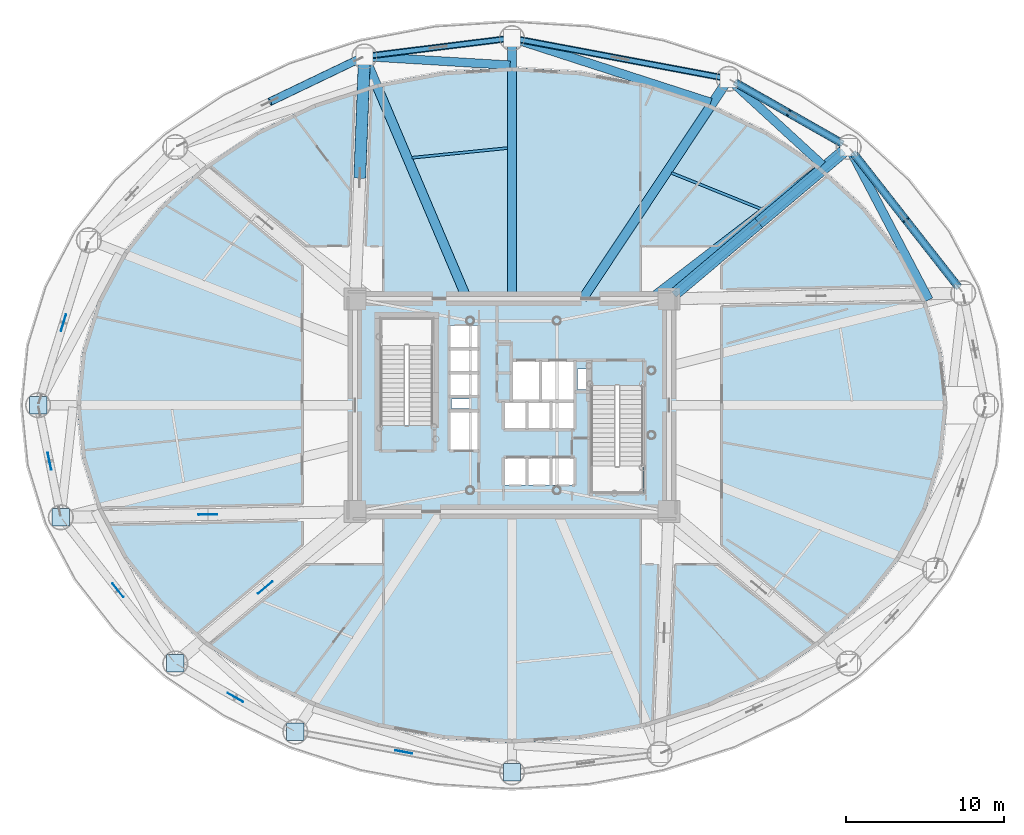
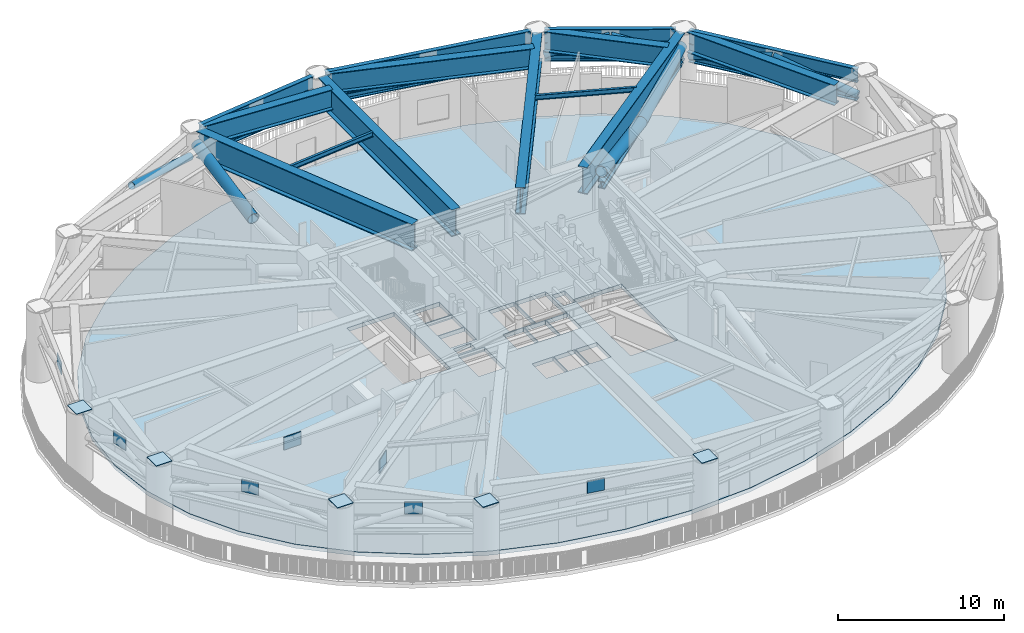
# One storey, part 5 of 22: 19 beams, 12 plates, 8 members, 1 slab.
"""IFC4 building model written with IfcOpenShell, lengths in metres."""

from ifc_helpers import new_model, si_unit, direction, frame, origin, origin_2d, place, context, subcontext, project, spatial, polyline, rectangle, hollow_circle, i_section, outline, extrude, source, transform, mapped, material, layer, layer_set, material_profile, profile_set, type_object, element, save


model = new_model("IFC4")

# Units and contexts
model_context = context("Model", 3, precision=1e-05, world=origin(), true_north=direction((0.0, 1.0)))
body_context = subcontext(model_context, "Body", "Model", "MODEL_VIEW")
ifc_project = project(units=[si_unit("LENGTHUNIT", "METRE"), si_unit("AREAUNIT", "SQUARE_METRE"), si_unit("VOLUMEUNIT", "CUBIC_METRE"), si_unit("PLANEANGLEUNIT", "RADIAN"), si_unit("MASSUNIT", "GRAM", prefix="KILO")], contexts=[model_context])

# Site, building, storey
site_placement = place(None, origin())
site = spatial("IfcSite", under=ifc_project, at=site_placement, CompositionType="ELEMENT")
building_placement = place(site_placement, origin())
building = spatial("IfcBuilding", under=site, at=building_placement, Name="Linh Dai School and Residence Tower", CompositionType="ELEMENT")
storey_placement = place(building_placement, frame((0.0, 0.0, 87.0)))
storey = spatial("IfcBuildingStorey", under=building, at=storey_placement, Name="L20", CompositionType="ELEMENT", Elevation=87.0)

# Beams
ifc_material_1 = material(Name="Structural Steel S355JR", Category="steel")
ifc_material_profile_1 = material_profile(ifc_material_1, i_section(OverallWidth=0.41796875, OverallDepth=0.506103515625, WebThickness=0.038818359375, FlangeThickness=0.05810546875, FilletRadius=0.014892578125, at=origin_2d()), Name="HD 400x551")
ifc_profile_set_1 = profile_set([ifc_material_profile_1], Name="Structural Steel S355JR")
beam_type_1 = type_object("IfcBeamType", Name="BM-BC1", PredefinedType="BEAM", material=ifc_profile_set_1)
beam_1_placement = place(storey_placement, frame((64.351806640625, 34.439208984375, 3.050048828125), z_axis=(-0.616878670407, 0.787058260866, 0.0), x_axis=(-0.787058260866, -0.616878670407, 0.0)))
element("IfcBeam", 1, at=beam_1_placement, inside=storey, type_object=beam_type_1, Name="L20 Ring Belt Truss BT2 Bottom Chord 02", PredefinedType="BEAM", context=body_context, shape_type="SweptSolid", body=[
    extrude(i_section(OverallWidth=0.41796875, OverallDepth=0.506103515625, WebThickness=0.038818359375, FlangeThickness=0.05810546875, FilletRadius=0.014892578125, at=origin_2d()), origin(), (0.0, 0.0, 1.0), 10.926025390625),
])
beam_2_placement = place(storey_placement, frame((56.987548828125, 43.57666015625, 3.050048828125), z_axis=(-0.869271416992, 0.494335112653, 0.0), x_axis=(-0.494335112653, -0.869271416992, 0.0)))
element("IfcBeam", 2, at=beam_2_placement, inside=storey, type_object=beam_type_1, Name="L20 Ring Belt Truss BT2 Bottom Chord 03", PredefinedType="BEAM", context=body_context, shape_type="SweptSolid", body=[
    extrude(i_section(OverallWidth=0.41796875, OverallDepth=0.506103515625, WebThickness=0.038818359375, FlangeThickness=0.05810546875, FilletRadius=0.014892578125, at=origin_2d()), origin(), (0.0, 0.0, 1.0), 7.91943359375),
])
beam_3_placement = place(storey_placement, frame((49.32568359375, 47.776611328125, 3.050048828125), z_axis=(-0.982808389171, 0.184628465236, 0.0), x_axis=(-0.184628465236, -0.982808389171, 0.0)))
element("IfcBeam", 3, at=beam_3_placement, inside=storey, type_object=beam_type_1, Name="L20 Ring Belt Truss BT2 Bottom Chord 04", PredefinedType="BEAM", context=body_context, shape_type="SweptSolid", body=[
    extrude(i_section(OverallWidth=0.41796875, OverallDepth=0.506103515625, WebThickness=0.038818359375, FlangeThickness=0.05810546875, FilletRadius=0.014892578125, at=origin_2d()), origin(), (0.0, 0.0, 1.0), 13.138671875),
])
beam_4_placement = place(storey_placement, frame((35.583251953125, 50.228271484375, 3.050048828125), z_axis=(-0.99240113372, -0.123044665842, 0.0), x_axis=(0.123044665842, -0.99240113372, 0.0)))
element("IfcBeam", 4, at=beam_4_placement, inside=storey, type_object=beam_type_1, Name="L20 Ring Belt Truss BT2 Bottom Chord 05", PredefinedType="BEAM", context=body_context, shape_type="SweptSolid", body=[
    extrude(i_section(OverallWidth=0.41796875, OverallDepth=0.506103515625, WebThickness=0.038818359375, FlangeThickness=0.05810546875, FilletRadius=0.014892578125, at=origin_2d()), origin(), (0.0, 0.0, 1.0), 8.58935546875),
])
beam_5_placement = place(storey_placement, frame((46.27099609375, 34.020751953125, 3.10009765625), z_axis=(0.764352378817, 0.644798760077, 0.0), x_axis=(-0.644798760077, 0.764352378817, 0.0)))
element("IfcBeam", 5, at=beam_5_placement, inside=storey, type_object=beam_type_1, Name="L20 Outrigger Truss OT1 Bottom Chord 02", PredefinedType="BEAM", context=body_context, shape_type="SweptSolid", body=[
    extrude(i_section(OverallWidth=0.41796875, OverallDepth=0.506103515625, WebThickness=0.038818359375, FlangeThickness=0.05810546875, FilletRadius=0.014892578125, at=origin_2d()), origin(), (0.0, 0.0, 1.0), 14.078369140625),
])
ifc_material_profile_2 = material_profile(ifc_material_1, i_section(OverallWidth=0.300048828125, OverallDepth=1.0, WebThickness=0.01904296875, FlangeThickness=0.035888671875, FilletRadius=0.030029296875, at=origin_2d()), Name="HEB 1000")
ifc_profile_set_2 = profile_set([ifc_material_profile_2], Name="Structural Steel S355JR")
beam_type_2 = type_object("IfcBeamType", Name="BM-RG10", PredefinedType="BEAM", material=ifc_profile_set_2)
beam_6_placement = place(storey_placement, frame((64.351806640625, 34.439208984375, 4.60009765625), z_axis=(-0.616878670407, 0.787058260866, 0.0), x_axis=(-0.787058260866, -0.616878670407, 0.0)))
element("IfcBeam", 6, at=beam_6_placement, inside=storey, type_object=beam_type_2, Name="L20 Perimeter Elliptical Ring Beam 02", PredefinedType="BEAM", context=body_context, shape_type="SweptSolid", body=[
    extrude(i_section(OverallWidth=0.300048828125, OverallDepth=1.0, WebThickness=0.01904296875, FlangeThickness=0.035888671875, FilletRadius=0.030029296875, at=origin_2d()), origin(), (0.0, 0.0, 1.0), 10.926025390625),
])
beam_7_placement = place(storey_placement, frame((56.987548828125, 43.57666015625, 4.60009765625), z_axis=(-0.869271416992, 0.494335112653, 0.0), x_axis=(-0.494335112653, -0.869271416992, 0.0)))
element("IfcBeam", 7, at=beam_7_placement, inside=storey, type_object=beam_type_2, Name="L20 Perimeter Elliptical Ring Beam 03", PredefinedType="BEAM", context=body_context, shape_type="SweptSolid", body=[
    extrude(i_section(OverallWidth=0.300048828125, OverallDepth=1.0, WebThickness=0.01904296875, FlangeThickness=0.035888671875, FilletRadius=0.030029296875, at=origin_2d()), origin(), (0.0, 0.0, 1.0), 7.91943359375),
])
beam_8_placement = place(storey_placement, frame((49.32568359375, 47.776611328125, 4.60009765625), z_axis=(-0.982808389171, 0.184628465236, 0.0), x_axis=(-0.184628465236, -0.982808389171, 0.0)))
element("IfcBeam", 8, at=beam_8_placement, inside=storey, type_object=beam_type_2, Name="L20 Perimeter Elliptical Ring Beam 04", PredefinedType="BEAM", context=body_context, shape_type="SweptSolid", body=[
    extrude(i_section(OverallWidth=0.300048828125, OverallDepth=1.0, WebThickness=0.01904296875, FlangeThickness=0.035888671875, FilletRadius=0.030029296875, at=origin_2d()), origin(), (0.0, 0.0, 1.0), 13.138671875),
])
beam_9_placement = place(storey_placement, frame((35.583251953125, 50.228271484375, 4.60009765625), z_axis=(-0.99240113372, -0.123044665842, 0.0), x_axis=(0.123044665842, -0.99240113372, 0.0)))
element("IfcBeam", 9, at=beam_9_placement, inside=storey, type_object=beam_type_2, Name="L20 Perimeter Elliptical Ring Beam 05", PredefinedType="BEAM", context=body_context, shape_type="SweptSolid", body=[
    extrude(i_section(OverallWidth=0.300048828125, OverallDepth=1.0, WebThickness=0.01904296875, FlangeThickness=0.035888671875, FilletRadius=0.030029296875, at=origin_2d()), origin(), (0.0, 0.0, 1.0), 8.58935546875),
])
ifc_material_profile_3 = material_profile(ifc_material_1, i_section(OverallWidth=0.169921875, OverallDepth=0.360107421875, WebThickness=0.008056640625, FlangeThickness=0.0126953125, FilletRadius=0.01806640625, at=origin_2d()), Name="IPE 360")
ifc_profile_set_3 = profile_set([ifc_material_profile_3], Name="Structural Steel S355JR")
beam_type_3 = type_object("IfcBeamType", Name="BM-SB36", PredefinedType="BEAM", material=ifc_profile_set_3)
beam_10_placement = place(storey_placement, frame((51.822998046875, 39.433837890625, 4.919921875), z_axis=(-0.927541657377, 0.373719779823, 0.0), x_axis=(-0.373719779823, -0.927541657377, 0.0)))
element("IfcBeam", 10, at=beam_10_placement, inside=storey, type_object=beam_type_3, Name="L20 Secondary Circumferential Floor Beam 02", PredefinedType="BEAM", context=body_context, shape_type="SweptSolid", body=[
    extrude(i_section(OverallWidth=0.169921875, OverallDepth=0.360107421875, WebThickness=0.008056640625, FlangeThickness=0.0126953125, FilletRadius=0.01806640625, at=origin_2d()), origin(), (0.0, 0.0, 1.0), 6.15966796875),
])
beam_11_placement = place(storey_placement, frame((35.721435546875, 43.30908203125, 4.919921875), z_axis=(-0.994886299019, -0.101001247636, 0.0), x_axis=(0.101001247636, -0.994886299019, 0.0)))
element("IfcBeam", 11, at=beam_11_placement, inside=storey, type_object=beam_type_3, Name="L20 Secondary Circumferential Floor Beam 03", PredefinedType="BEAM", context=body_context, shape_type="SweptSolid", body=[
    extrude(i_section(OverallWidth=0.169921875, OverallDepth=0.360107421875, WebThickness=0.008056640625, FlangeThickness=0.0126953125, FilletRadius=0.01806640625, at=origin_2d()), origin(), (0.0, 0.0, 1.0), 6.10107421875),
])
ifc_material_profile_4 = material_profile(ifc_material_1, i_section(OverallWidth=0.550048828125, OverallDepth=1.5, WebThickness=0.028076171875, FlangeThickness=0.050048828125, at=origin_2d()), Name="PG 1500x550x28x50")
ifc_profile_set_4 = profile_set([ifc_material_profile_4], Name="Structural Steel S355JR")
beam_type_4 = type_object("IfcBeamType", Name="BM-TG15", PredefinedType="BEAM", material=ifc_profile_set_4)
beam_12_placement = place(storey_placement, frame((62.436767578125, 33.687255859375, 4.35009765625), z_axis=(-0.464900329916, 0.885363023423, 0.0), x_axis=(-0.885363023423, -0.464900329916, 0.0)))
element("IfcBeam", 12, at=beam_12_placement, inside=storey, type_object=beam_type_4, Name="L20 Setback Diaphragm Transfer Girder 02", PredefinedType="BEAM", context=body_context, shape_type="SweptSolid", body=[
    extrude(i_section(OverallWidth=0.550048828125, OverallDepth=1.5, WebThickness=0.028076171875, FlangeThickness=0.050048828125, at=origin_2d()), origin(), (0.0, 0.0, 1.0), 10.515625),
])
beam_13_placement = place(storey_placement, frame((55.684326171875, 42.236572265625, 4.35009765625), z_axis=(-0.736406970607, 0.67653881902, 0.0), x_axis=(-0.67653881902, -0.736406970607, 0.0)))
element("IfcBeam", 13, at=beam_13_placement, inside=storey, type_object=beam_type_4, Name="L20 Setback Diaphragm Transfer Girder 03", PredefinedType="BEAM", context=body_context, shape_type="SweptSolid", body=[
    extrude(i_section(OverallWidth=0.550048828125, OverallDepth=1.5, WebThickness=0.028076171875, FlangeThickness=0.050048828125, at=origin_2d()), origin(), (0.0, 0.0, 1.0), 7.654296875),
])
beam_14_placement = place(storey_placement, frame((48.607666015625, 46.201904296875, 4.35009765625), z_axis=(-0.951465496082, 0.307755438238, 0.0), x_axis=(-0.307755438238, -0.951465496082, 0.0)))
element("IfcBeam", 14, at=beam_14_placement, inside=storey, type_object=beam_type_4, Name="L20 Setback Diaphragm Transfer Girder 04", PredefinedType="BEAM", context=body_context, shape_type="SweptSolid", body=[
    extrude(i_section(OverallWidth=0.550048828125, OverallDepth=1.5, WebThickness=0.028076171875, FlangeThickness=0.050048828125, at=origin_2d()), origin(), (0.0, 0.0, 1.0), 12.830810546875),
])
beam_15_placement = place(storey_placement, frame((35.880126953125, 48.562255859375, 4.35009765625), z_axis=(-0.998183735829, 0.060243086961, 0.0), x_axis=(-0.060243086961, -0.998183735829, 0.0)))
element("IfcBeam", 15, at=beam_15_placement, inside=storey, type_object=beam_type_4, Name="L20 Setback Diaphragm Transfer Girder 05", PredefinedType="BEAM", context=body_context, shape_type="SweptSolid", body=[
    extrude(i_section(OverallWidth=0.550048828125, OverallDepth=1.5, WebThickness=0.028076171875, FlangeThickness=0.050048828125, at=origin_2d()), origin(), (0.0, 0.0, 1.0), 8.834716796875),
])
ifc_material_profile_5 = material_profile(ifc_material_1, i_section(OverallWidth=0.60009765625, OverallDepth=1.949951171875, WebThickness=0.031982421875, FlangeThickness=0.054931640625, at=origin_2d()), Name="PG 1950x600x32x55")
ifc_profile_set_5 = profile_set([ifc_material_profile_5], Name="Structural Steel S355JR")
beam_type_5 = type_object("IfcBeamType", Name="BM-TG19", PredefinedType="BEAM", material=ifc_profile_set_5)
beam_16_placement = place(storey_placement, frame((44.804931640625, 33.75, 4.125), z_axis=(0.793637764155, 0.608390581212, 0.0), x_axis=(-0.608390581212, 0.793637764155, 0.0)))
element("IfcBeam", 16, at=beam_16_placement, inside=storey, type_object=beam_type_5, Name="L20 Radial Setback Transfer Girder 03", PredefinedType="BEAM", context=body_context, shape_type="SweptSolid", body=[
    extrude(i_section(OverallWidth=0.60009765625, OverallDepth=1.949951171875, WebThickness=0.031982421875, FlangeThickness=0.054931640625, at=origin_2d()), origin(), (0.0, 0.0, 1.0), 15.390625),
])
beam_17_placement = place(storey_placement, frame((40.47998046875, 33.75, 4.125), z_axis=(0.55300421354, 0.833178456158, 0.0), x_axis=(-0.833178456158, 0.55300421354, 0.0)))
element("IfcBeam", 17, at=beam_17_placement, inside=storey, type_object=beam_type_5, Name="L20 Radial Setback Transfer Girder 04", PredefinedType="BEAM", context=body_context, shape_type="SweptSolid", body=[
    extrude(i_section(OverallWidth=0.60009765625, OverallDepth=1.949951171875, WebThickness=0.031982421875, FlangeThickness=0.054931640625, at=origin_2d()), origin(), (0.0, 0.0, 1.0), 16.322021484375),
])
beam_18_placement = place(storey_placement, frame((36.0, 33.75, 4.125), z_axis=(0.0, 1.0, 0.0), x_axis=(-1.0, 0.0, 0.0)))
element("IfcBeam", 18, at=beam_18_placement, inside=storey, type_object=beam_type_5, Name="L20 Radial Setback Transfer Girder 05", PredefinedType="BEAM", context=body_context, shape_type="SweptSolid", body=[
    extrude(i_section(OverallWidth=0.60009765625, OverallDepth=1.949951171875, WebThickness=0.031982421875, FlangeThickness=0.054931640625, at=origin_2d()), origin(), (0.0, 0.0, 1.0), 16.110107421875),
])
beam_19_placement = place(storey_placement, frame((33.14453125, 33.75, 4.125), z_axis=(-0.38962432485, 0.920973878829, 0.0), x_axis=(-0.920973878829, -0.38962432485, 0.0)))
element("IfcBeam", 19, at=beam_19_placement, inside=storey, type_object=beam_type_5, Name="L20 Radial Setback Transfer Girder 06", PredefinedType="BEAM", context=body_context, shape_type="SweptSolid", body=[
    extrude(i_section(OverallWidth=0.60009765625, OverallDepth=1.949951171875, WebThickness=0.031982421875, FlangeThickness=0.054931640625, at=origin_2d()), origin(), (0.0, 0.0, 1.0), 16.2685546875),
])

# Members
ifc_material_profile_6 = material_profile(ifc_material_1, hollow_circle(Radius=0.25390625, WallThickness=0.02001953125, at=origin_2d()), Name="CHS 508x20")
ifc_profile_set_6 = profile_set([ifc_material_profile_6], Name="Structural Steel S355JR")
member_type_1 = type_object("IfcMemberType", Name="MBR-BT2", PredefinedType="BRACE", material=ifc_profile_set_6)
for number, where, z_axis, x_axis, name in (
    (20, (64.3603515625, 34.42822265625, 3.156982421875), (-0.596535122005, 0.761068293527, 0.254795802166), (-0.787044801124, -0.616895842929, 0.0), "L20 Ring Belt Truss BT2 Diagonal 02A"),
    (21, (57.603271484375, 43.049560546875, 3.156982421875), (0.596487785101, -0.761105999532, 0.254793994633), (0.787083406438, 0.616846586526, 0.0), "L20 Ring Belt Truss BT2 Diagonal 02B"),
):
    element("IfcMember", number, at=place(storey_placement, frame(where, z_axis=z_axis, x_axis=x_axis)), inside=storey, type_object=member_type_1, Name=name, PredefinedType="BRACE", context=body_context, shape_type="SweptSolid", body=[
        extrude(hollow_circle(Radius=0.25390625, WallThickness=0.02001953125, at=origin_2d()), origin(), (0.0, 0.0, 1.0), 5.663818359375),
    ])
member_1_placement = place(storey_placement, frame((57.008544921875, 43.56494140625, 3.190185546875), z_axis=(-0.819464436505, 0.466003958323, 0.333644044051), x_axis=(-0.494329466237, -0.869274627957, 0.0)))
element("IfcMember", 22, at=member_1_placement, inside=storey, type_object=member_type_1, Name="L20 Ring Belt Truss BT2 Diagonal 03A", PredefinedType="BRACE", context=body_context, shape_type="SweptSolid", body=[
    extrude(hollow_circle(Radius=0.25390625, WallThickness=0.02001953125, at=origin_2d()), origin(), (0.0, 0.0, 1.0), 4.225830078125),
])
member_2_placement = place(storey_placement, frame((50.08251953125, 47.50341796875, 3.190185546875), z_axis=(0.819483412602, -0.465981896796, 0.333628248698), x_axis=(0.494303132506, 0.869289602604, 0.0)))
element("IfcMember", 23, at=member_2_placement, inside=storey, type_object=member_type_1, Name="L20 Ring Belt Truss BT2 Diagonal 03B", PredefinedType="BRACE", context=body_context, shape_type="SweptSolid", body=[
    extrude(hollow_circle(Radius=0.25390625, WallThickness=0.02001953125, at=origin_2d()), origin(), (0.0, 0.0, 1.0), 4.22607421875),
])
member_3_placement = place(storey_placement, frame((26.2734375, 48.94287109375, 3.145263671875), z_axis=(-0.878190761707, -0.421021144617, 0.226984981523), x_axis=(0.432305059472, -0.901727417546, 0.0)))
element("IfcMember", 24, at=member_3_placement, inside=storey, type_object=member_type_1, Name="L20 Ring Belt Truss BT2 Diagonal 06A", PredefinedType="BRACE", context=body_context, shape_type="SweptSolid", body=[
    extrude(hollow_circle(Radius=0.25390625, WallThickness=0.02001953125, at=origin_2d()), origin(), (0.0, 0.0, 1.0), 6.409423828125),
])
ifc_material_profile_7 = material_profile(ifc_material_1, hollow_circle(Radius=0.381103515625, WallThickness=0.02490234375, at=origin_2d()), Name="CHS 762x25")
ifc_profile_set_7 = profile_set([ifc_material_profile_7], Name="Structural Steel S355JR")
member_type_2 = type_object("IfcMemberType", Name="MBR-OT1", PredefinedType="BRACE", material=ifc_profile_set_7)
for number, where, z_axis, x_axis, name in (
    (25, (46.26806640625, 34.018310546875, 4.06787109375), (0.757238955318, 0.638793732783, -0.136131302444), (-0.644796267827, 0.764354481243, 0.0), "L20 Outrigger Truss OT1 Web Diagonal 02A"),
    (26, (57.03466796875, 43.100830078125, 4.06787109375), (-0.757238955318, -0.638793732783, -0.136131302444), (0.644796267827, -0.764354481243, 0.0), "L20 Outrigger Truss OT1 Web Diagonal 02B"),
):
    element("IfcMember", number, at=place(storey_placement, frame(where, z_axis=z_axis, x_axis=x_axis)), inside=storey, type_object=member_type_2, Name=name, PredefinedType="BRACE", context=body_context, shape_type="SweptSolid", body=[
        extrude(hollow_circle(Radius=0.381103515625, WallThickness=0.02490234375, at=origin_2d()), origin(), (0.0, 0.0, 1.0), 7.109130859375),
    ])
member_4_placement = place(storey_placement, frame((26.626220703125, 48.703857421875, 4.069580078125), z_axis=(-0.038157612058, -0.990501082302, -0.132104513932), x_axis=(0.999258793174, -0.038494990118, 0.0)))
element("IfcMember", 27, at=member_4_placement, inside=storey, type_object=member_type_2, Name="L20 Outrigger Truss OT1 Web Diagonal 03B", PredefinedType="BRACE", context=body_context, shape_type="SweptSolid", body=[
    extrude(hollow_circle(Radius=0.381103515625, WallThickness=0.02490234375, at=origin_2d()), origin(), (0.0, 0.0, 1.0), 7.3388671875),
])

# Slab
ifc_material_2 = material(Name="Concrete B45 (C35/45)", Category="concrete")
ifc_layer_1 = layer(ifc_material_2, 0.300048828125)
ifc_layer_set_1 = layer_set([ifc_layer_1], Name="Concrete B45 (C35/45)")
slab_type = type_object("IfcSlabType", Name="SLB-FLR300", PredefinedType="FLOOR", material=ifc_layer_set_1)
slab_placement = place(storey_placement, frame((0.0, 0.0, -0.300048828125)))
element("IfcSlab", 28, at=slab_placement, inside=storey, type_object=slab_type, Name="L20 Refuge & Mechanical Plant Indoor Slab", PredefinedType="FLOOR", context=body_context, shape_type="SweptSolid", body=[
    extrude(outline(polyline([(63.60009765625, 27.0), (63.26025390625, 30.352294921875), (62.249267578125, 33.622314453125), (60.591796875, 36.72900390625), (58.328857421875, 39.59619140625), (55.51611328125, 42.1533203125), (52.222900390625, 44.337158203125), (48.530029296875, 46.09423828125), (44.52880859375, 47.381103515625), (40.317626953125, 48.166259765625), (36.0, 48.429931640625), (31.682373046875, 48.166259765625), (27.47119140625, 47.381103515625), (23.469970703125, 46.09423828125), (19.777099609375, 44.337158203125), (16.48388671875, 42.1533203125), (13.671142578125, 39.59619140625), (11.408203125, 36.72900390625), (9.750732421875, 33.622314453125), (8.73974609375, 30.352294921875), (8.39990234375, 27.0), (8.73974609375, 23.647705078125), (9.750732421875, 20.377685546875), (11.408203125, 17.27099609375), (13.671142578125, 14.40380859375), (16.48388671875, 11.8466796875), (19.777099609375, 9.662841796875), (23.469970703125, 7.90576171875), (27.47119140625, 6.618896484375), (31.682373046875, 5.833740234375), (36.0, 5.570068359375), (40.317626953125, 5.833740234375), (44.52880859375, 6.618896484375), (48.530029296875, 7.90576171875), (52.222900390625, 9.662841796875), (55.51611328125, 11.8466796875), (58.328857421875, 14.40380859375), (60.591796875, 17.27099609375), (62.249267578125, 20.377685546875), (63.26025390625, 23.647705078125), (63.60009765625, 27.0)]), holes=[polyline([(30.97998046875, 25.699951171875), (30.97998046875, 32.5), (27.679931640625, 32.5), (27.679931640625, 25.699951171875), (30.97998046875, 25.699951171875)]), polyline([(41.02001953125, 28.25), (41.02001953125, 21.449951171875), (44.320068359375, 21.449951171875), (44.320068359375, 28.25), (41.02001953125, 28.25)]), polyline([(35.97998046875, 27.280029296875), (37.77001953125, 27.280029296875), (37.77001953125, 29.820068359375), (35.97998046875, 29.820068359375), (35.97998046875, 27.280029296875)]), polyline([(32.030029296875, 24.1298828125), (33.8701171875, 24.1298828125), (33.8701171875, 26.6201171875), (32.030029296875, 26.6201171875), (32.030029296875, 24.1298828125)]), polyline([(37.830078125, 27.280029296875), (39.969970703125, 27.280029296875), (39.969970703125, 29.820068359375), (37.830078125, 29.820068359375), (37.830078125, 27.280029296875)]), polyline([(35.47998046875, 21.929931640625), (36.929931640625, 21.929931640625), (36.929931640625, 23.669921875), (35.47998046875, 23.669921875), (35.47998046875, 21.929931640625)]), polyline([(36.989990234375, 21.929931640625), (38.449951171875, 21.929931640625), (38.449951171875, 23.669921875), (36.989990234375, 23.669921875), (36.989990234375, 21.929931640625)]), polyline([(38.510009765625, 21.929931640625), (39.969970703125, 21.929931640625), (39.969970703125, 23.669921875), (38.510009765625, 23.669921875), (38.510009765625, 21.929931640625)]), polyline([(32.030029296875, 27.580078125), (33.8701171875, 27.580078125), (33.8701171875, 29.030029296875), (32.030029296875, 29.030029296875), (32.030029296875, 27.580078125)]), polyline([(32.030029296875, 29.090087890625), (33.8701171875, 29.090087890625), (33.8701171875, 30.550048828125), (32.030029296875, 30.550048828125), (32.030029296875, 29.090087890625)]), polyline([(32.030029296875, 30.610107421875), (33.8701171875, 30.610107421875), (33.8701171875, 32.070068359375), (32.030029296875, 32.070068359375), (32.030029296875, 30.610107421875)]), polyline([(35.47998046875, 25.47998046875), (36.929931640625, 25.47998046875), (36.929931640625, 27.219970703125), (35.47998046875, 27.219970703125), (35.47998046875, 25.47998046875)]), polyline([(36.989990234375, 25.47998046875), (38.449951171875, 25.47998046875), (38.449951171875, 27.219970703125), (36.989990234375, 27.219970703125), (36.989990234375, 25.47998046875)]), polyline([(38.510009765625, 25.47998046875), (39.969970703125, 25.47998046875), (39.969970703125, 27.219970703125), (38.510009765625, 27.219970703125), (38.510009765625, 25.47998046875)]), polyline([(40.14990234375, 28.0), (40.14990234375, 29.300048828125), (41.0, 29.300048828125), (41.0, 28.280029296875), (40.989990234375, 28.280029296875), (40.989990234375, 28.0), (40.14990234375, 28.0)]), polyline([(32.14990234375, 26.800048828125), (33.35009765625, 26.800048828125), (33.35009765625, 27.39990234375), (32.14990234375, 27.39990234375), (32.14990234375, 26.800048828125)])]), origin(), (0.0, 0.0, 1.0), 0.300048828125),
])

# Plates
ifc_layer_2 = layer(ifc_material_1, 0.0400390625)
ifc_layer_set_2 = layer_set([ifc_layer_2], Name="Structural Steel S355JR")
plate_type = type_object("IfcPlateType", Name="PLT-GP1", PredefinedType="USERDEFINED", material=ifc_layer_set_2)
shared_shape_1 = source(origin(), body_context, "Body", "SweptSolid", [
    extrude(rectangle(XDim=1.10009765625, YDim=1.10009765625, at=origin_2d()), origin(), (0.0, 0.0, 1.0), 0.0400390625),
])
for number, where, z_axis, x_axis, name in (
    (29, (5.949951171875, 27.0, 5.10009765625), (0.0, 0.0, 1.0), (1.0, 0.0, 0.0), "L20 MC09 Column Cap Plate"),
    (30, (7.38916015625, 19.891357421875, 5.10009765625), (0.0, 0.0, 1.0), (1.0, 0.0, 0.0), "L20 MC10 Column Cap Plate"),
    (31, (14.647216796875, 10.630859375, 5.10009765625), (0.0, 0.0, 1.0), (1.0, 0.0, 0.0), "L20 MC11 Column Cap Plate"),
    (32, (22.26171875, 6.30078125, 5.10009765625), (0.0, 0.0, 1.0), (1.0, 0.0, 0.0), "L20 MC12 Column Cap Plate"),
    (33, (36.0, 3.719970703125, 5.10009765625), (0.0, 0.0, 1.0), (1.0, 0.0, 0.0), "L20 MC13 Column Cap Plate"),
):
    element("IfcPlate", number, at=place(storey_placement, frame(where, z_axis=z_axis, x_axis=x_axis)), inside=storey, type_object=plate_type, Name=name, ObjectType="GUSSET PLATE", PredefinedType="USERDEFINED", context=body_context, shape_type="MappedRepresentation", body=[
        mapped(shared_shape_1, transform((0.0, 0.0, 0.0), x_axis=(1.0, 0.0, 0.0), y_axis=(0.0, 1.0, 0.0), z_axis=(0.0, 0.0, 1.0), scale=1.0)),
    ])
shared_shape_2 = source(origin(), body_context, "Body", "SweptSolid", [
    extrude(rectangle(XDim=1.10009765625, YDim=0.0400390625, at=origin_2d()), origin(), (0.0, 0.0, 1.0), 0.89990234375),
])
for number, where, z_axis, x_axis, name in (
    (34, (7.55712890625, 32.23193359375, 4.150146484375), (0.0, 0.0, 1.0), (-0.293657555286, -0.955910686321, 0.0), "L20 Belt Truss BT2 Node Gusset Plate 08"),
    (35, (6.669677734375, 23.44580078125, 4.150146484375), (0.0, 0.0, 1.0), (0.198437329692, -0.980113578206, 0.0), "L20 Belt Truss BT2 Node Gusset Plate 09"),
    (36, (11.018310546875, 15.26123046875, 4.150146484375), (0.0, 0.0, 1.0), (0.616865363532, -0.787068690315, 0.0), "L20 Belt Truss BT2 Node Gusset Plate 10"),
    (37, (18.454345703125, 8.4658203125, 4.150146484375), (0.0, 0.0, 1.0), (0.869278262826, -0.494323074293, 0.0), "L20 Belt Truss BT2 Node Gusset Plate 11"),
    (38, (29.130859375, 5.010498046875, 4.150146484375), (0.0, 0.0, 1.0), (0.982808663224, -0.184627006399, 0.0), "L20 Belt Truss BT2 Node Gusset Plate 12"),
):
    element("IfcPlate", number, at=place(storey_placement, frame(where, z_axis=z_axis, x_axis=x_axis)), inside=storey, type_object=plate_type, Name=name, ObjectType="GUSSET PLATE", PredefinedType="USERDEFINED", context=body_context, shape_type="MappedRepresentation", body=[
        mapped(shared_shape_2, transform((0.0, 0.0, 0.0), x_axis=(1.0, 0.0, 0.0), y_axis=(0.0, 1.0, 0.0), z_axis=(0.0, 0.0, 1.0), scale=1.0)),
    ])
shared_shape_3 = source(origin(), body_context, "Body", "SweptSolid", [
    extrude(rectangle(XDim=1.199951171875, YDim=0.0400390625, at=origin_2d()), origin(), (0.0, 0.0, 1.0), 0.949951171875),
])
for number, where, z_axis, x_axis, name in (
    (39, (16.7197265625, 20.07080078125, 2.625), (0.0, 0.0, 1.0), (-0.999815489244, -0.019209046524, 0.0), "L20 Outrigger Truss OT1 Node Gusset Plate 05"),
    (40, (20.3486328125, 15.4404296875, 2.625), (0.0, 0.0, 1.0), (-0.764354395017, -0.644796370041, 0.0), "L20 Outrigger Truss OT1 Node Gusset Plate 06"),
):
    element("IfcPlate", number, at=place(storey_placement, frame(where, z_axis=z_axis, x_axis=x_axis)), inside=storey, type_object=plate_type, Name=name, ObjectType="GUSSET PLATE", PredefinedType="USERDEFINED", context=body_context, shape_type="MappedRepresentation", body=[
        mapped(shared_shape_3, transform((0.0, 0.0, 0.0), x_axis=(1.0, 0.0, 0.0), y_axis=(0.0, 1.0, 0.0), z_axis=(0.0, 0.0, 1.0), scale=1.0)),
    ])

save(model, "model.ifc")
